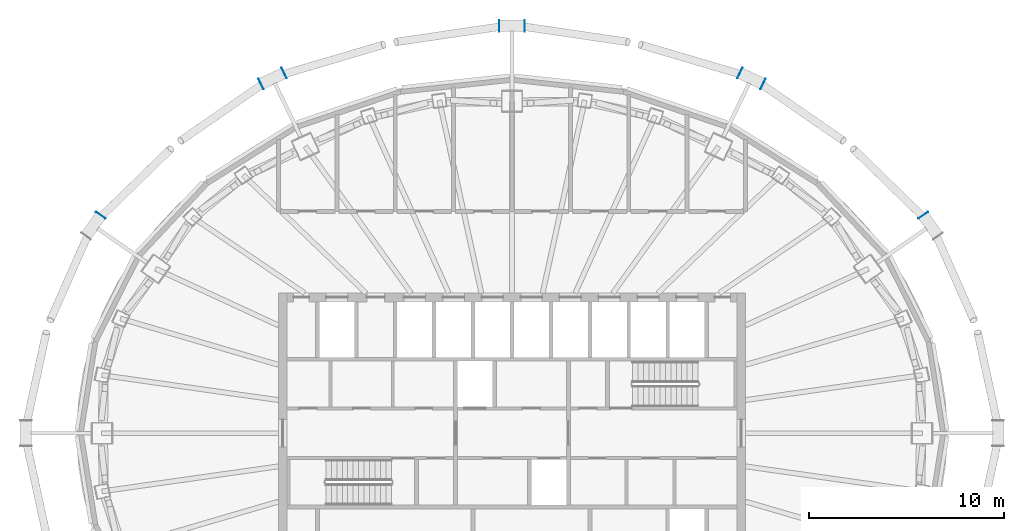
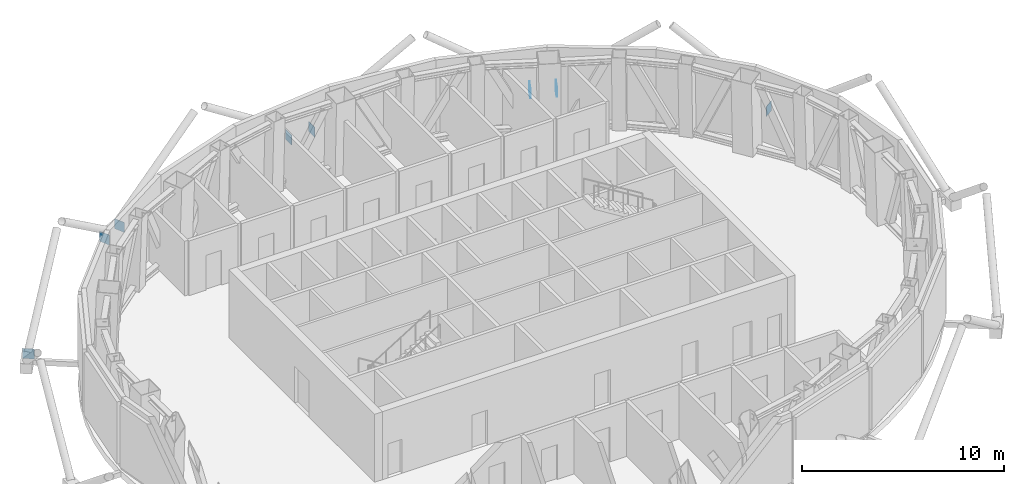
# One storey, part 11 of 15: 8 discrete accessories.
"""IFC4 building model written with IfcOpenShell, lengths in metres."""

from ifc_helpers import new_model, si_unit, direction, frame, origin, origin_2d, place, context, subcontext, project, spatial, rectangle, extrude, material, layer, layer_set, type_object, element, save


model = new_model("IFC4")

# Units and contexts
model_context = context("Model", 3, precision=1e-05, world=origin(), true_north=direction((0.0, 1.0)))
body_context = subcontext(model_context, "Body", "Model", "MODEL_VIEW")
ifc_project = project(units=[si_unit("LENGTHUNIT", "METRE"), si_unit("AREAUNIT", "SQUARE_METRE"), si_unit("VOLUMEUNIT", "CUBIC_METRE"), si_unit("PLANEANGLEUNIT", "RADIAN"), si_unit("MASSUNIT", "GRAM", prefix="KILO")], contexts=[model_context])

# Site, building, storey
site_placement = place(None, origin())
site = spatial("IfcSite", under=ifc_project, at=site_placement, CompositionType="ELEMENT")
building_placement = place(site_placement, origin())
building = spatial("IfcBuilding", under=site, at=building_placement, Name="Siaravel Broadcast Tower", CompositionType="ELEMENT")
storey_placement = place(building_placement, frame((0.0, 0.0, 212.60009765625)))
storey = spatial("IfcBuildingStorey", under=building, at=storey_placement, Name="L51", CompositionType="ELEMENT", Elevation=212.60009765625)

# Discrete accessories
ifc_material = material(Name="Steel S355", Category="steel")
ifc_layer = layer(ifc_material, 0.02001953125)
ifc_layer_set = layer_set([ifc_layer], Name="Steel S355")
discrete_accessory_type = type_object("IfcDiscreteAccessoryType", Name="Steel end plate 20 mm", PredefinedType="USERDEFINED", material=ifc_layer_set)
for number, where, z_axis, x_axis, name in (
    (1, (21.125, 11.198974609375, -0.500244140625), (0.0, 0.0, 1.0), (-0.576118513, 0.817366172, 0.0), "End plate R21 station 06A"),
    (2, (11.705810546875, 18.504150390625, -0.500244140625), (0.0, 0.0, 1.0), (-0.904006456, 0.427518805, 0.0), "End plate R21 station 12A"),
    (3, (12.893310546875, 17.942626953125, -0.500244140625), (0.0, 0.0, 1.0), (-0.904006456, 0.427518805, 0.0), "End plate R21 station 12B"),
    (4, (-0.65673828125, 20.9287109375, -0.500244140625), (0.0, 0.0, 1.0), (-1.0, 0.0, 0.0), "End plate R21 station 18A"),
    (5, (0.65673828125, 20.9287109375, -0.500244140625), (0.0, 0.0, 1.0), (-1.0, 0.0, 0.0), "End plate R21 station 18B"),
    (6, (-12.893310546875, 17.942626953125, -0.500244140625), (0.0, 0.0, 1.0), (-0.904006456, -0.427518805, 0.0), "End plate R21 station 24A"),
    (7, (-11.705810546875, 18.504150390625, -0.500244140625), (0.0, 0.0, 1.0), (-0.904006456, -0.427518805, 0.0), "End plate R21 station 24B"),
    (8, (-21.125, 11.198974609375, -0.500244140625), (0.0, 0.0, 1.0), (-0.576118513, -0.817366172, 0.0), "End plate R21 station 30B"),
):
    element("IfcDiscreteAccessory", number, at=place(storey_placement, frame(where, z_axis=z_axis, x_axis=x_axis)), inside=storey, type_object=discrete_accessory_type, Name=name, ObjectType="END PLATE", PredefinedType="USERDEFINED", context=body_context, shape_type="SweptSolid", body=[
        extrude(rectangle(XDim=0.02001953125, YDim=0.60009765625, at=origin_2d()), origin(), (0.0, 0.0, 1.0), 0.60009765625),
    ])

save(model, "model.ifc")
